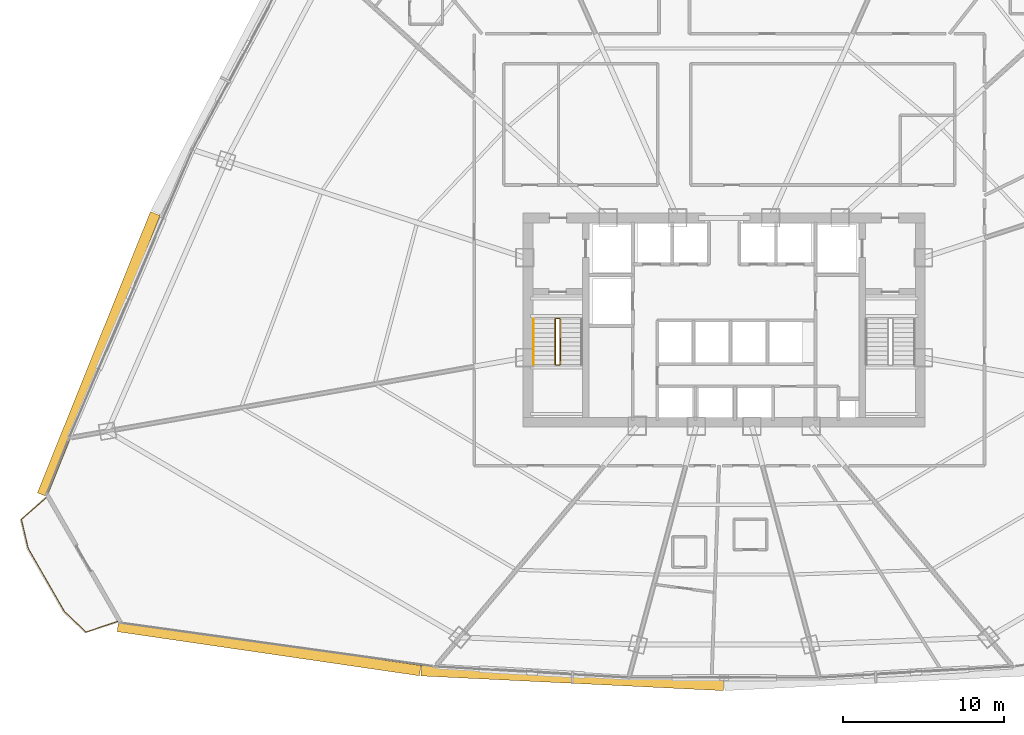
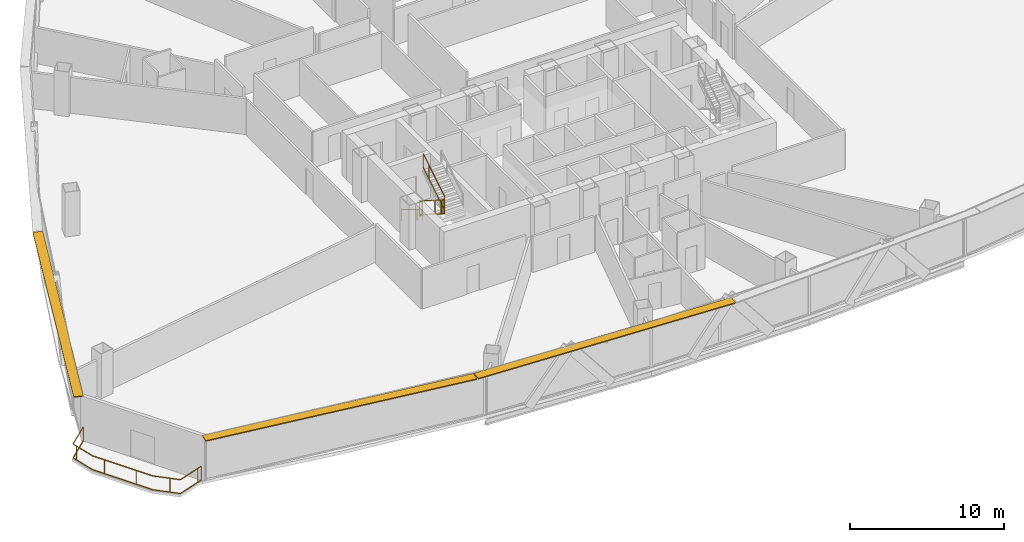
# One storey, part 34 of 37: 6 railings, 3 shading devices.
"""IFC4 building model written with IfcOpenShell, lengths in metres."""

import ifcopenshell
import ifcopenshell.guid

model = None  # the IFC model being written
_history = None  # IfcOwnerHistory: only IFC2X3 demands one
_inside = {}  # id of a spatial element -> (the spatial element, [elements in it])
_under = {}  # id of a project, library or spatial element -> (it, [spatial elements below it])
_declared = {}  # id of a project -> (the project, [libraries it declares])
_typed = {}  # id of a type object -> (the type object, [elements of that type])
_made_of = {}  # id of a material, layer set ... -> (it, [elements and type objects made of it])


def new_model(schema):
    """Start an empty IFC model of exactly this schema.

    Asked for "IFC4X3", IfcOpenShell would pick the latest addendum, in which some entities
    have other attributes; the version numbers below select the first issue.
    IFC2X3 requires an IfcOwnerHistory on every rooted entity: one is made here for all.
    """
    global model, _history
    if schema == "IFC4X3":
        model = ifcopenshell.file(schema_version=(4, 3, 0, 0))
    else:
        model = ifcopenshell.file(schema=schema)
    _inside.clear()
    _under.clear()
    _declared.clear()
    _typed.clear()
    _made_of.clear()
    _history = None
    if model.schema == "IFC2X3":
        org = make("IfcOrganization", Name="unknown")
        user = make(
            "IfcPersonAndOrganization",
            ThePerson=make("IfcPerson", FamilyName="unknown"),
            TheOrganization=org,
        )
        app = make(
            "IfcApplication",
            ApplicationDeveloper=org,
            Version="unknown",
            ApplicationFullName="unknown",
            ApplicationIdentifier="unknown",
        )
        _history = make(
            "IfcOwnerHistory",
            OwningUser=user,
            OwningApplication=app,
            ChangeAction="ADDED",
            CreationDate=0,
        )
    return model


def make(cls, **values):
    """One entity of the class cls with the attributes given. An attribute that is None is left unset."""
    return model.create_entity(
        cls, **{name: value for name, value in values.items() if value is not None}
    )


def rooted(cls, **values):
    """An entity with a GlobalId (a new one), such as an element, a storey or a relation."""
    return make(cls, GlobalId=ifcopenshell.guid.new(), OwnerHistory=_history, **values)


def si_unit(unit_type, name, prefix=None):
    """IfcSIUnit, for example si_unit("LENGTHUNIT", "METRE", prefix="MILLI")."""
    return make("IfcSIUnit", UnitType=unit_type, Prefix=prefix, Name=name)


def assignment(units):
    """IfcUnitAssignment: the units of a project."""
    return None if units is None else make("IfcUnitAssignment", Units=units)


def point(xyz):
    """IfcCartesianPoint."""
    return None if xyz is None else make("IfcCartesianPoint", Coordinates=xyz)


def direction(xyz):
    """IfcDirection."""
    return None if xyz is None else make("IfcDirection", DirectionRatios=xyz)


def frame(location, z_axis=None, x_axis=None):
    """IfcAxis2Placement3D, a coordinate frame: its origin and axes. An axis left out is left unset."""
    return make(
        "IfcAxis2Placement3D",
        Location=point(location),
        Axis=direction(z_axis),
        RefDirection=direction(x_axis),
    )


def frame_2d(location, x_axis=None):
    """IfcAxis2Placement2D, a coordinate frame in the plane: its origin and x axis."""
    return make(
        "IfcAxis2Placement2D", Location=point(location), RefDirection=direction(x_axis)
    )


def origin():
    """The frame at (0, 0, 0) with its axes left unset."""
    return frame((0.0, 0.0, 0.0))


def origin_2d():
    """The frame at (0, 0) in the plane with its x axis left unset."""
    return frame_2d((0.0, 0.0))


def place(relative_to, where):
    """IfcLocalPlacement: puts the frame where relative to a parent placement (None: the world)."""
    return make(
        "IfcLocalPlacement", PlacementRelTo=relative_to, RelativePlacement=where
    )


def context(
    kind, dimensions, precision=None, world=None, true_north=None, identifier=None
):
    """IfcGeometricRepresentationContext, for example the 3D "Model" context."""
    return make(
        "IfcGeometricRepresentationContext",
        ContextIdentifier=identifier,
        ContextType=kind,
        CoordinateSpaceDimension=dimensions,
        Precision=precision,
        WorldCoordinateSystem=world,
        TrueNorth=true_north,
    )


def subcontext(parent, identifier, kind, view, scale=None):
    """IfcGeometricRepresentationSubContext, for example "Body" below "Model"."""
    return make(
        "IfcGeometricRepresentationSubContext",
        ContextIdentifier=identifier,
        ContextType=kind,
        ParentContext=parent,
        TargetScale=scale,
        TargetView=view,
    )


def project(units=None, contexts=None):
    """IfcProject with its units and contexts."""
    return rooted(
        "IfcProject",
        Name="project",
        RepresentationContexts=contexts,
        UnitsInContext=assignment(units),
    )


def spatial(cls, under=None, at=None, **own):
    """A site, building, storey or space (cls), placed at a placement, below another one or the project."""
    s = rooted(cls, ObjectPlacement=at, **own)
    if under is not None:
        _under.setdefault(under.id(), (under, []))[1].append(s)
    return s


def profile(cls, at=None, kind="AREA", **sizes):
    """A parametric profile (cls). Its sizes go by their IFC names, for example OverallWidth=200.0."""
    return make(cls, ProfileType=kind, Position=at, **sizes)


def rectangle(**sizes):
    """IfcRectangleProfileDef."""
    return profile("IfcRectangleProfileDef", **sizes)


def extrude(swept, where, along, depth):
    """IfcExtrudedAreaSolid: the profile swept, set in the frame where, extruded along a direction by depth."""
    return make(
        "IfcExtrudedAreaSolid",
        SweptArea=swept,
        Position=where,
        ExtrudedDirection=direction(along),
        Depth=depth,
    )


def shape(context_of_items, identifier, shape_type, items):
    """IfcShapeRepresentation: the items that make up one representation, for example the "Body"."""
    return make(
        "IfcShapeRepresentation",
        ContextOfItems=context_of_items,
        RepresentationIdentifier=identifier,
        RepresentationType=shape_type,
        Items=items,
    )


def source(mapping_origin, context_of_items, identifier, shape_type, items):
    """IfcRepresentationMap: a shape defined once, which mapped items show again and again."""
    return make(
        "IfcRepresentationMap",
        MappingOrigin=mapping_origin,
        MappedRepresentation=shape(context_of_items, identifier, shape_type, items),
    )


def transform(
    local_origin,
    x_axis=None,
    y_axis=None,
    z_axis=None,
    scale=None,
    scale2=None,
    scale3=None,
    uniform=True,
):
    """IfcCartesianTransformationOperator3D, or its non-uniform kind. x_axis, y_axis, z_axis: its Axis1, 2, 3."""
    if uniform:
        return make(
            "IfcCartesianTransformationOperator3D",
            Axis1=direction(x_axis),
            Axis2=direction(y_axis),
            LocalOrigin=point(local_origin),
            Scale=scale,
            Axis3=direction(z_axis),
        )
    return make(
        "IfcCartesianTransformationOperator3DnonUniform",
        Axis1=direction(x_axis),
        Axis2=direction(y_axis),
        LocalOrigin=point(local_origin),
        Scale=scale,
        Axis3=direction(z_axis),
        Scale2=scale2,
        Scale3=scale3,
    )


def mapped(mapping_source, mapping_target):
    """IfcMappedItem: shows the shape of a source again, moved by a transform."""
    return make(
        "IfcMappedItem", MappingSource=mapping_source, MappingTarget=mapping_target
    )


def material(Name=None, Category=None):
    """IfcMaterial."""
    return make("IfcMaterial", Name=Name, Category=Category)


def layer(
    of_material, thickness, ventilated=None, Name=None, Category=None, Priority=None
):
    """IfcMaterialLayer: one layer of a wall or slab, of a material (None: an air gap)."""
    return make(
        "IfcMaterialLayer",
        Material=of_material,
        LayerThickness=thickness,
        IsVentilated=ventilated,
        Name=Name,
        Category=Category,
        Priority=Priority,
    )


def layer_set(layers, Name=None):
    """IfcMaterialLayerSet."""
    return make("IfcMaterialLayerSet", MaterialLayers=layers, LayerSetName=Name)


def made_of(thing, what):
    """Note that an element or type object is made of a material, layer set ...; save() writes the relation."""
    if what is not None:
        _made_of.setdefault(what.id(), (what, []))[1].append(thing)
    return thing


def type_object(cls, material=None, **own):
    """A type object (cls), such as IfcWallType, which elements share."""
    return made_of(rooted(cls, **own), material)


def element(
    cls,
    number,
    at=None,
    inside=None,
    cuts=None,
    type_object=None,
    material=None,
    context=None,
    identifier="Body",
    shape_type=None,
    held_by="IfcProductDefinitionShape",
    body=None,
    shapes=None,
    **own,
):
    """One element of the class cls, such as IfcWall. Its Tag is "e" and its number.

    at: its placement. inside: the storey or other place that contains it. cuts: it is an
    opening in that element (IfcRelVoidsElement). A single representation is given by context,
    identifier, shape_type and body (its items); several are given by shapes. held_by: the class
    of the entity that holds the representations. save() writes the other relations.
    """
    e = rooted(cls, Tag="e%d" % number, ObjectPlacement=at, **own)
    if body is not None:
        shapes = [shape(context, identifier, shape_type, body)]
    if shapes is not None:
        e.Representation = make(held_by, Representations=shapes)
    if inside is not None:
        _inside.setdefault(inside.id(), (inside, []))[1].append(e)
    if cuts is not None:
        rooted(
            "IfcRelVoidsElement", RelatingBuildingElement=cuts, RelatedOpeningElement=e
        )
    if type_object is not None:
        _typed.setdefault(type_object.id(), (type_object, []))[1].append(e)
    return made_of(e, material)


def aggregate(whole, parts):
    """IfcRelAggregates: a whole, such as a stair, and the parts it consists of."""
    return rooted("IfcRelAggregates", RelatingObject=whole, RelatedObjects=parts)


def save(model, path):
    """Write the relations noted so far, then the file.

    IfcRelAggregates (storeys below a building ...), IfcRelContainedInSpatialStructure (elements
    in a storey), IfcRelDefinesByType, IfcRelAssociatesMaterial and IfcRelDeclares: one each for
    every whole, place, type object, material and project.
    """
    for whole, parts in _under.values():
        aggregate(whole, parts)
    for where, things in _inside.values():
        rooted(
            "IfcRelContainedInSpatialStructure",
            RelatedElements=things,
            RelatingStructure=where,
        )
    for kind, things in _typed.values():
        rooted("IfcRelDefinesByType", RelatedObjects=things, RelatingType=kind)
    for what, things in _made_of.values():
        rooted("IfcRelAssociatesMaterial", RelatedObjects=things, RelatingMaterial=what)
    for by, libraries in _declared.values():
        rooted("IfcRelDeclares", RelatingContext=by, RelatedDefinitions=libraries)
    model.write(path)


model = new_model("IFC4")

# Units and contexts
model_context = context("Model", 3, precision=1e-05, world=origin(), true_north=direction((0.0, 1.0)))
body_context = subcontext(model_context, "Body", "Model", "MODEL_VIEW")
ifc_project = project(units=[si_unit("LENGTHUNIT", "METRE"), si_unit("AREAUNIT", "SQUARE_METRE"), si_unit("VOLUMEUNIT", "CUBIC_METRE"), si_unit("PLANEANGLEUNIT", "RADIAN"), si_unit("MASSUNIT", "GRAM", prefix="KILO"), si_unit("THERMODYNAMICTEMPERATUREUNIT", "KELVIN"), si_unit("POWERUNIT", "WATT")], contexts=[model_context])

# Site, building, storey
site_placement = place(None, origin())
site = spatial("IfcSite", under=ifc_project, at=site_placement, CompositionType="ELEMENT")
building_placement = place(site_placement, origin())
building = spatial("IfcBuilding", under=site, at=building_placement, Name="Yunzhuo Pagoda Commons", CompositionType="ELEMENT")
storey_placement = place(building_placement, frame((0.0, 0.0, 84.97998046875)))
storey = spatial("IfcBuildingStorey", under=building, at=storey_placement, Name="L21", CompositionType="ELEMENT", Elevation=84.97998046875)

# Railings
ifc_material = material(Name="Anodized aluminium 6063-T6", Category="aluminium")
railing_type_1 = type_object("IfcRailingType", Name="GR-ST1 Stair Well Guardrail 1150", PredefinedType="GUARDRAIL", material=ifc_material)
railing_1_placement = place(storey_placement, frame((37.5, 33.89990234375, 0.1728515625)))
element("IfcRailing", 1, at=railing_1_placement, inside=storey, type_object=railing_type_1, Name="L21 ST1 stair guard 1", PredefinedType="GUARDRAIL", context=body_context, shape_type="SweptSolid", body=[
    extrude(rectangle(XDim=0.048095703125, YDim=0.048095703125, at=origin_2d()), frame((0.0, 0.0, 1.1259765625), z_axis=(0.0, -0.851102337555, 0.524999820009), x_axis=(1.0, 0.0, 0.0)), (0.0, 0.0, 1.0), 3.28955078125),
    extrude(rectangle(XDim=0.048095703125, YDim=0.048095703125, at=origin_2d()), frame((0.0, 0.0, 0.02392578125), z_axis=(0.0, -0.851102337555, 0.524999820009), x_axis=(1.0, 0.0, 0.0)), (0.0, 0.0, 1.0), 3.28955078125),
    extrude(rectangle(XDim=0.0419921875, YDim=0.0419921875, at=origin_2d()), origin(), (0.0, 0.0, 1.0), 1.101806640625),
    extrude(rectangle(XDim=0.0419921875, YDim=0.0419921875, at=origin_2d()), frame((0.0, -2.042724609375, 1.260009765625)), (0.0, 0.0, 1.0), 1.101806640625),
    extrude(rectangle(XDim=0.0419921875, YDim=0.0419921875, at=origin_2d()), frame((0.0, -2.7998046875, 1.72705078125)), (0.0, 0.0, 1.0), 1.101806640625),
])
railing_2_placement = place(storey_placement, frame((37.550048828125, 31.050048828125, 1.89990234375)))
element("IfcRailing", 2, at=railing_2_placement, inside=storey, type_object=railing_type_1, Name="L21 ST1 stair guard 2", PredefinedType="GUARDRAIL", context=body_context, shape_type="SweptSolid", body=[
    extrude(rectangle(XDim=0.048095703125, YDim=0.048095703125, at=origin_2d()), frame((0.0, 0.0, 1.1259765625), z_axis=(1.0, 0.0, 0.0), x_axis=(0.0, 1.0, 0.0)), (0.0, 0.0, 1.0), 0.199951171875),
    extrude(rectangle(XDim=0.048095703125, YDim=0.048095703125, at=origin_2d()), frame((0.0, 0.0, 0.02392578125), z_axis=(1.0, 0.0, 0.0), x_axis=(0.0, 1.0, 0.0)), (0.0, 0.0, 1.0), 0.199951171875),
    extrude(rectangle(XDim=0.0419921875, YDim=0.0419921875, at=origin_2d()), origin(), (0.0, 0.0, 1.0), 1.101806640625),
    extrude(rectangle(XDim=0.0419921875, YDim=0.0419921875, at=origin_2d()), frame((0.199951171875, 0.0, 0.0)), (0.0, 0.0, 1.0), 1.101806640625),
])
railing_3_placement = place(storey_placement, frame((37.800048828125, 31.10009765625, 2.07275390625)))
element("IfcRailing", 3, at=railing_3_placement, inside=storey, type_object=railing_type_1, Name="L21 ST1 stair guard 3", PredefinedType="GUARDRAIL", context=body_context, shape_type="SweptSolid", body=[
    extrude(rectangle(XDim=0.048095703125, YDim=0.048095703125, at=origin_2d()), frame((0.0, 0.0, 1.1259765625), z_axis=(0.0, 0.851069175582, 0.525053576669), x_axis=(-1.0, 0.0, 0.0)), (0.0, 0.0, 1.0), 3.289794921875),
    extrude(rectangle(XDim=0.048095703125, YDim=0.048095703125, at=origin_2d()), frame((0.0, 0.0, 0.02392578125), z_axis=(0.0, 0.851069175582, 0.525053576669), x_axis=(-1.0, 0.0, 0.0)), (0.0, 0.0, 1.0), 3.289794921875),
    extrude(rectangle(XDim=0.0419921875, YDim=0.0419921875, at=origin_2d()), origin(), (0.0, 0.0, 1.0), 1.101806640625),
    extrude(rectangle(XDim=0.0419921875, YDim=0.0419921875, at=origin_2d()), frame((0.0, 2.04248046875, 1.260009765625)), (0.0, 0.0, 1.0), 1.101806640625),
    extrude(rectangle(XDim=0.0419921875, YDim=0.0419921875, at=origin_2d()), frame((0.0, 2.7998046875, 1.727294921875)), (0.0, 0.0, 1.0), 1.101806640625),
])
railing_4_placement = place(storey_placement, frame((37.550048828125, 33.949951171875, 0.0)))
element("IfcRailing", 4, at=railing_4_placement, inside=storey, type_object=railing_type_1, Name="L21 ST1 stair guard 4", PredefinedType="GUARDRAIL", context=body_context, shape_type="SweptSolid", body=[
    extrude(rectangle(XDim=0.048095703125, YDim=0.048095703125, at=origin_2d()), frame((0.0, 0.0, 1.1259765625), z_axis=(1.0, 0.0, 0.0), x_axis=(0.0, 1.0, 0.0)), (0.0, 0.0, 1.0), 0.199951171875),
    extrude(rectangle(XDim=0.048095703125, YDim=0.048095703125, at=origin_2d()), frame((0.0, 0.0, 0.02392578125), z_axis=(1.0, 0.0, 0.0), x_axis=(0.0, 1.0, 0.0)), (0.0, 0.0, 1.0), 0.199951171875),
    extrude(rectangle(XDim=0.0419921875, YDim=0.0419921875, at=origin_2d()), origin(), (0.0, 0.0, 1.0), 1.101806640625),
    extrude(rectangle(XDim=0.0419921875, YDim=0.0419921875, at=origin_2d()), frame((0.199951171875, 0.0, 0.0)), (0.0, 0.0, 1.0), 1.101806640625),
])
railing_type_2 = type_object("IfcRailingType", Name="HR-ST1 Stair Handrail 900", PredefinedType="HANDRAIL", material=ifc_material)
railing_5_placement = place(storey_placement, frame((36.14990234375, 33.89990234375, 0.1728515625)))
element("IfcRailing", 5, at=railing_5_placement, inside=storey, type_object=railing_type_2, Name="L21 ST1 stair handrail 1", PredefinedType="HANDRAIL", context=body_context, shape_type="SweptSolid", body=[
    extrude(rectangle(XDim=0.048095703125, YDim=0.048095703125, at=origin_2d()), frame((0.0, 0.0, 0.8759765625), z_axis=(0.0, -0.851102337555, 0.524999820009), x_axis=(1.0, 0.0, 0.0)), (0.0, 0.0, 1.0), 3.28955078125),
    extrude(rectangle(XDim=0.0419921875, YDim=0.0419921875, at=origin_2d()), origin(), (0.0, 0.0, 1.0), 0.851806640625),
    extrude(rectangle(XDim=0.0419921875, YDim=0.0419921875, at=origin_2d()), frame((0.0, -2.042724609375, 1.260009765625)), (0.0, 0.0, 1.0), 0.851806640625),
    extrude(rectangle(XDim=0.0419921875, YDim=0.0419921875, at=origin_2d()), frame((0.0, -2.7998046875, 1.72705078125)), (0.0, 0.0, 1.0), 0.851806640625),
])
railing_type_3 = type_object("IfcRailingType", Name="RL-BAL1 Exterior Terrace & Balcony Balustrade 1150", PredefinedType="BALUSTRADE", material=ifc_material)
railing_6_placement = place(storey_placement, frame((5.83984375, 22.801025390625, 0.0)))
element("IfcRailing", 6, at=railing_6_placement, inside=storey, type_object=railing_type_3, Name="L21 corner balcony balustrade V1", PredefinedType="BALUSTRADE", context=body_context, shape_type="SweptSolid", body=[
    extrude(rectangle(XDim=0.048095703125, YDim=0.048095703125, at=origin_2d()), frame((0.0, 0.0, 1.1259765625), z_axis=(-0.753992555518, -0.656882962348, 0.0), x_axis=(0.656882962348, -0.753992555518, 0.0)), (0.0, 0.0, 1.0), 2.05908203125),
    extrude(rectangle(XDim=0.048095703125, YDim=0.048095703125, at=origin_2d()), frame((0.0, 0.0, 0.02392578125), z_axis=(-0.753992555518, -0.656882962348, 0.0), x_axis=(0.656882962348, -0.753992555518, 0.0)), (0.0, 0.0, 1.0), 2.05908203125),
    extrude(rectangle(XDim=0.048095703125, YDim=0.048095703125, at=origin_2d()), frame((-1.552490234375, -1.3525390625, 1.1259765625), z_axis=(0.229837631651, -0.973228987997, 0.0), x_axis=(0.973228987997, 0.229837631651, 0.0)), (0.0, 0.0, 1.0), 1.85791015625),
    extrude(rectangle(XDim=0.048095703125, YDim=0.048095703125, at=origin_2d()), frame((-1.552490234375, -1.3525390625, 0.02392578125), z_axis=(0.229837631651, -0.973228987997, 0.0), x_axis=(0.973228987997, 0.229837631651, 0.0)), (0.0, 0.0, 1.0), 1.85791015625),
    extrude(rectangle(XDim=0.048095703125, YDim=0.048095703125, at=origin_2d()), frame((-1.12548828125, -3.16064453125, 1.1259765625), z_axis=(0.497899857491, -0.867234531088, 0.0), x_axis=(0.867234531088, 0.497899857491, 0.0)), (0.0, 0.0, 1.0), 4.521484375),
    extrude(rectangle(XDim=0.048095703125, YDim=0.048095703125, at=origin_2d()), frame((-1.12548828125, -3.16064453125, 0.02392578125), z_axis=(0.497899857491, -0.867234531088, 0.0), x_axis=(0.867234531088, 0.497899857491, 0.0)), (0.0, 0.0, 1.0), 4.521484375),
    extrude(rectangle(XDim=0.048095703125, YDim=0.048095703125, at=origin_2d()), frame((1.125732421875, -7.081787109375, 1.1259765625), z_axis=(0.724687687273, -0.689077467282, 0.0), x_axis=(0.689077467282, 0.724687687273, 0.0)), (0.0, 0.0, 1.0), 1.85791015625),
    extrude(rectangle(XDim=0.048095703125, YDim=0.048095703125, at=origin_2d()), frame((1.125732421875, -7.081787109375, 0.02392578125), z_axis=(0.724687687273, -0.689077467282, 0.0), x_axis=(0.689077467282, 0.724687687273, 0.0)), (0.0, 0.0, 1.0), 1.85791015625),
    extrude(rectangle(XDim=0.048095703125, YDim=0.048095703125, at=origin_2d()), frame((2.47216796875, -8.362060546875, 1.1259765625), z_axis=(0.947419062147, 0.319995501031, 0.0), x_axis=(-0.319995501031, 0.947419062147, 0.0)), (0.0, 0.0, 1.0), 2.05908203125),
    extrude(rectangle(XDim=0.048095703125, YDim=0.048095703125, at=origin_2d()), frame((2.47216796875, -8.362060546875, 0.02392578125), z_axis=(0.947419062147, 0.319995501031, 0.0), x_axis=(-0.319995501031, 0.947419062147, 0.0)), (0.0, 0.0, 1.0), 2.05908203125),
    extrude(rectangle(XDim=0.0419921875, YDim=0.0419921875, at=origin_2d()), origin(), (0.0, 0.0, 1.0), 1.101806640625),
    extrude(rectangle(XDim=0.0419921875, YDim=0.0419921875, at=origin_2d()), frame((-1.47412109375, -1.684326171875, 0.0)), (0.0, 0.0, 1.0), 1.101806640625),
    extrude(rectangle(XDim=0.0419921875, YDim=0.0419921875, at=origin_2d()), frame((-0.685791015625, -3.926513671875, 0.0)), (0.0, 0.0, 1.0), 1.101806640625),
    extrude(rectangle(XDim=0.0419921875, YDim=0.0419921875, at=origin_2d()), frame((0.50927734375, -6.0078125, 0.0)), (0.0, 0.0, 1.0), 1.101806640625),
    extrude(rectangle(XDim=0.0419921875, YDim=0.0419921875, at=origin_2d()), frame((1.967529296875, -7.88232421875, 0.0)), (0.0, 0.0, 1.0), 1.101806640625),
    extrude(rectangle(XDim=0.0419921875, YDim=0.0419921875, at=origin_2d()), frame((4.08642578125, -7.81689453125, 0.0)), (0.0, 0.0, 1.0), 1.101806640625),
    extrude(rectangle(XDim=0.0419921875, YDim=0.0419921875, at=origin_2d()), frame((4.423095703125, -7.703125, 0.0)), (0.0, 0.0, 1.0), 1.101806640625),
])

# Shading devices
ifc_layer = layer(ifc_material, 0.080078125)
ifc_layer_set = layer_set([ifc_layer], Name="Anodized aluminium 6063-T6")
shading_device_type = type_object("IfcShadingDeviceType", Name="SH-SUN1 Pagoda Horizontal Sunshade Eave 650", PredefinedType="USERDEFINED", material=ifc_layer_set)
shared_shape_1 = source(origin(), body_context, "Body", "SweptSolid", [
    extrude(rectangle(XDim=19.008544921875, YDim=0.64990234375, at=origin_2d()), origin(), (0.0, 0.0, 1.0), 0.080078125),
])
shading_device_1_placement = place(storey_placement, frame((19.6923828125, 13.415283203125, 3.4599609375), z_axis=(0.0, 0.0, 1.0), x_axis=(0.989510666697, -0.144459823108, 0.0)))
element("IfcShadingDevice", 7, at=shading_device_1_placement, inside=storey, type_object=shading_device_type, Name="L21 horizontal pagoda sunshade eave F1.1", ObjectType="SUNSHADE", PredefinedType="USERDEFINED", context=body_context, shape_type="MappedRepresentation", body=[
    mapped(shared_shape_1, transform((0.0, 0.0, 0.0), scale=1.0)),
])
shared_shape_2 = source(origin(), body_context, "Body", "SweptSolid", [
    extrude(rectangle(XDim=18.830810546875, YDim=0.64990234375, at=origin_2d()), origin(), (0.0, 0.0, 1.0), 0.080078125),
])
shading_device_2_placement = place(storey_placement, frame((38.56396484375, 11.57861328125, 3.4599609375), z_axis=(0.0, 0.0, 1.0), x_axis=(0.998818043775, -0.04860571396, 0.0)))
element("IfcShadingDevice", 8, at=shading_device_2_placement, inside=storey, type_object=shading_device_type, Name="L21 horizontal pagoda sunshade eave F1.2", ObjectType="SUNSHADE", PredefinedType="USERDEFINED", context=body_context, shape_type="MappedRepresentation", body=[
    mapped(shared_shape_2, transform((0.0, 0.0, 0.0), scale=1.0)),
])
shared_shape_3 = source(origin(), body_context, "Body", "SweptSolid", [
    extrude(rectangle(XDim=18.855712890625, YDim=0.64990234375, at=origin_2d()), origin(), (0.0, 0.0, 1.0), 0.080078125),
])
shading_device_3_placement = place(storey_placement, frame((9.101318359375, 31.72607421875, 3.4599609375), z_axis=(0.0, 0.0, 1.0), x_axis=(-0.373003976317, -0.927829743893, 0.0)))
element("IfcShadingDevice", 9, at=shading_device_3_placement, inside=storey, type_object=shading_device_type, Name="L21 horizontal pagoda sunshade eave F3.4", ObjectType="SUNSHADE", PredefinedType="USERDEFINED", context=body_context, shape_type="MappedRepresentation", body=[
    mapped(shared_shape_3, transform((0.0, 0.0, 0.0), scale=1.0)),
])

save(model, "model.ifc")
